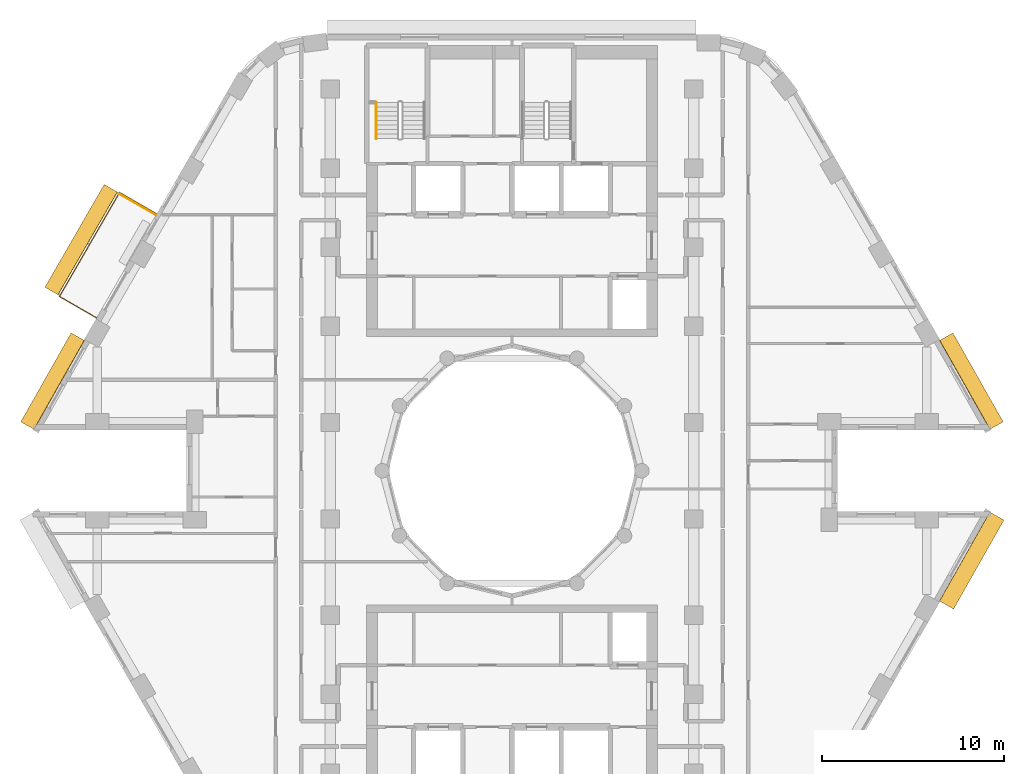
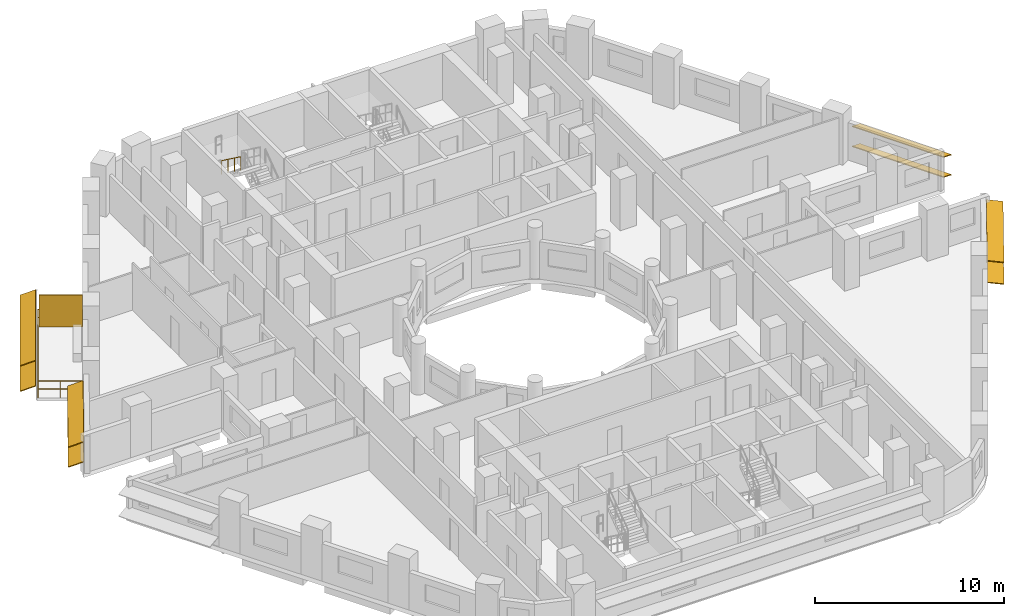
# One storey, part 12 of 13: 9 shading devices, 2 railings.
"""IFC4 building model written with IfcOpenShell, lengths in metres."""

from ifc_helpers import new_model, si_unit, direction, frame, origin, origin_2d, place, context, subcontext, project, spatial, rectangle, circle, extrude, material, layer, layer_set, material_profile, profile_set, type_object, element, save


model = new_model("IFC4")

# Units and contexts
model_context = context("Model", 3, precision=1e-05, world=origin(), true_north=direction((0.0, 1.0)))
body_context = subcontext(model_context, "Body", "Model", "MODEL_VIEW")
ifc_project = project(units=[si_unit("LENGTHUNIT", "METRE"), si_unit("AREAUNIT", "SQUARE_METRE"), si_unit("VOLUMEUNIT", "CUBIC_METRE"), si_unit("PLANEANGLEUNIT", "RADIAN"), si_unit("MASSUNIT", "GRAM", prefix="KILO")], contexts=[model_context])

# Site, building, storey
site_placement = place(None, origin())
site = spatial("IfcSite", under=ifc_project, at=site_placement, CompositionType="ELEMENT")
building_placement = place(site_placement, origin())
building = spatial("IfcBuilding", under=site, at=building_placement, Name="Nakaniwa Court", CompositionType="ELEMENT")
storey_placement = place(building_placement, frame((0.0, 0.0, 153.60009765625)))
storey = spatial("IfcBuildingStorey", under=building, at=storey_placement, Name="L40", CompositionType="ELEMENT", Elevation=153.60009765625)

# Railing
ifc_material_1 = material(Name="Black powder-coated steel flat bar balustrade S275", Category="steel")
railing_type_1 = type_object("IfcRailingType", Name="Black metal balcony guard 1100", PredefinedType="GUARDRAIL", material=ifc_material_1)
railing_1_placement = place(storey_placement, frame((60.44677734375, 94.133056640625, -0.050048828125)))
element("IfcRailing", 1, at=railing_1_placement, inside=storey, type_object=railing_type_1, Name="L40 balcony guard 01", PredefinedType="GUARDRAIL", context=body_context, shape_type="SweptSolid", body=[
    extrude(circle(Radius=0.02392578125, at=origin_2d()), frame((0.0, 0.0, 1.076171875), z_axis=(-0.866025363618, 0.50000006957, 0.0), x_axis=(-0.50000006957, -0.866025363618, 0.0)), (0.0, 0.0, 1.0), 2.35986328125),
    extrude(circle(Radius=0.02392578125, at=origin_2d()), frame((0.0, 0.0, 0.550048828125), z_axis=(-0.866025363618, 0.50000006957, 0.0), x_axis=(-0.50000006957, -0.866025363618, 0.0)), (0.0, 0.0, 1.0), 2.35986328125),
    extrude(circle(Radius=0.02392578125, at=origin_2d()), frame((-2.043701171875, 1.179931640625, 1.076171875), z_axis=(-0.500004921708, -0.866022562216, 0.0), x_axis=(0.866022562216, -0.500004921708, 0.0)), (0.0, 0.0, 1.0), 6.60888671875),
    extrude(circle(Radius=0.02392578125, at=origin_2d()), frame((-2.043701171875, 1.179931640625, 0.550048828125), z_axis=(-0.500004921708, -0.866022562216, 0.0), x_axis=(0.866022562216, -0.500004921708, 0.0)), (0.0, 0.0, 1.0), 6.60888671875),
    extrude(circle(Radius=0.02392578125, at=origin_2d()), frame((-5.34814453125, -4.54345703125, 1.076171875), z_axis=(0.866006432019, -0.500032858622, 0.0), x_axis=(0.500032858622, 0.866006432019, 0.0)), (0.0, 0.0, 1.0), 2.360107421875),
    extrude(circle(Radius=0.02392578125, at=origin_2d()), frame((-5.34814453125, -4.54345703125, 0.550048828125), z_axis=(0.866006432019, -0.500032858622, 0.0), x_axis=(0.500032858622, 0.866006432019, 0.0)), (0.0, 0.0, 1.0), 2.360107421875),
    extrude(circle(Radius=0.02099609375, at=origin_2d()), origin(), (0.0, 0.0, 1.0), 1.052001953125),
    extrude(circle(Radius=0.02099609375, at=origin_2d()), frame((-1.02197265625, 0.58984375, 0.0)), (0.0, 0.0, 1.0), 1.052001953125),
    extrude(circle(Radius=0.02099609375, at=origin_2d()), frame((-2.043701171875, 1.179931640625, 0.0)), (0.0, 0.0, 1.0), 1.052001953125),
    extrude(circle(Radius=0.02099609375, at=origin_2d()), frame((-2.594482421875, 0.22607421875, 0.0)), (0.0, 0.0, 1.0), 1.052001953125),
    extrude(circle(Radius=0.02099609375, at=origin_2d()), frame((-3.145263671875, -0.727783203125, 0.0)), (0.0, 0.0, 1.0), 1.052001953125),
    extrude(circle(Radius=0.02099609375, at=origin_2d()), frame((-3.69580078125, -1.681640625, 0.0)), (0.0, 0.0, 1.0), 1.052001953125),
    extrude(circle(Radius=0.02099609375, at=origin_2d()), frame((-4.24658203125, -2.6357421875, 0.0)), (0.0, 0.0, 1.0), 1.052001953125),
    extrude(circle(Radius=0.02099609375, at=origin_2d()), frame((-4.79736328125, -3.589599609375, 0.0)), (0.0, 0.0, 1.0), 1.052001953125),
    extrude(circle(Radius=0.02099609375, at=origin_2d()), frame((-5.34814453125, -4.54345703125, 0.0)), (0.0, 0.0, 1.0), 1.052001953125),
    extrude(circle(Radius=0.02099609375, at=origin_2d()), frame((-4.326171875, -5.133544921875, 0.0)), (0.0, 0.0, 1.0), 1.052001953125),
    extrude(circle(Radius=0.02099609375, at=origin_2d()), frame((-3.30419921875, -5.7236328125, 0.0)), (0.0, 0.0, 1.0), 1.052001953125),
])

# Shading devices
ifc_material_2 = material(Name="Black powder-coated aluminium slat screen", Category="aluminium")
ifc_layer = layer(ifc_material_2, 0.0400390625)
ifc_layer_set = layer_set([ifc_layer], Name="Black powder-coated aluminium slat screen")
shading_device_type_1 = type_object("IfcShadingDeviceType", Name="Koshi screen black metal", PredefinedType="USERDEFINED", material=ifc_layer_set)
shading_device_placement = place(storey_placement, frame((59.406494140625, 94.64111328125, -0.050048828125), z_axis=(0.0, 0.0, 1.0), x_axis=(-0.499975815814, -0.866039366081, 0.0)))
element("IfcShadingDevice", 2, at=shading_device_placement, inside=storey, type_object=shading_device_type_1, Name="L40 balcony SCREEN 01 W", ObjectType="KOSHI SCREEN", PredefinedType="USERDEFINED", context=body_context, shape_type="SweptSolid", body=[
    extrude(rectangle(XDim=0.0400390625, YDim=2.31005859375, at=origin_2d()), origin(), (0.0, 0.0, 1.0), 2.10009765625),
])
ifc_material_3 = material(Name="Perforated charcoal ceramic louvre blade")
ifc_material_profile = material_profile(ifc_material_3, rectangle(XDim=0.89990234375, YDim=0.050048828125, at=origin_2d()), Name="Perforated ceramic louvre blade")
ifc_profile_set = profile_set([ifc_material_profile], Name="Perforated charcoal ceramic louvre blade")
shading_device_type_2 = type_object("IfcShadingDeviceType", Name="Perforated ceramic louvre blade", PredefinedType="JALOUSIE", material=ifc_profile_set)
for number, where, z_axis, x_axis, name in (
    (3, (57.927978515625, 95.541015625, 0.5), (-0.499959831567, -0.866048593798, 0.0), (0.80012456997, -0.461902655462, 0.382683432365), "L40 perforated ceramic louvre blade 01 1"),
    (4, (57.927978515625, 95.541015625, 2.14990234375), (-0.499959831567, -0.866048593798, 0.0), (0.80012456997, -0.461902655462, 0.382683432365), "L40 perforated ceramic louvre blade 01 2"),
):
    element("IfcShadingDevice", number, at=place(storey_placement, frame(where, z_axis=z_axis, x_axis=x_axis)), inside=storey, type_object=shading_device_type_2, Name=name, PredefinedType="JALOUSIE", context=body_context, shape_type="SweptSolid", body=[
        extrude(rectangle(XDim=0.89990234375, YDim=0.050048828125, at=origin_2d()), origin(), (0.0, 0.0, 1.0), 6.52880859375),
    ])
for number, where, z_axis, x_axis, name in (
    (5, (106.662353515625, 82.48046875, 0.5498046875), (-0.49253187421, 0.870294405869, 0.0), (-0.804627241022, -0.455368390728, 0.38107037635), "L40 perforated ceramic louvre blade w02 1"),
    (6, (106.662353515625, 82.48046875, 1.84521484375), (-0.49253187421, 0.870294405869, 0.0), (-0.804627241022, -0.455368390728, 0.38107037635), "L40 perforated ceramic louvre blade w02 2"),
    (7, (56.10888671875, 87.377197265625, 0.5498046875), (-0.49253187421, -0.870294405869, 0.0), (0.804627241022, -0.455368390728, 0.38107037635), "L40 perforated ceramic louvre blade w14 1"),
    (8, (56.10888671875, 87.377197265625, 1.84521484375), (-0.49253187421, -0.870294405869, 0.0), (0.804627241022, -0.455368390728, 0.38107037635), "L40 perforated ceramic louvre blade w14 2"),
    (9, (103.911865234375, 72.611083984375, 0.5498046875), (0.49253187421, 0.870294405869, 0.0), (-0.862649339692, 0.488205247786, 0.132256390257), "L40 perforated ceramic louvre blade w32 1"),
    (10, (103.911865234375, 72.611083984375, 1.95556640625), (0.49253187421, 0.870294405869, 0.0), (-0.862649339692, 0.488205247786, 0.132256390257), "L40 perforated ceramic louvre blade w32 2"),
):
    element("IfcShadingDevice", number, at=place(storey_placement, frame(where, z_axis=z_axis, x_axis=x_axis)), inside=storey, type_object=shading_device_type_2, Name=name, PredefinedType="JALOUSIE", context=body_context, shape_type="SweptSolid", body=[
        extrude(rectangle(XDim=0.89990234375, YDim=0.050048828125, at=origin_2d()), origin(), (0.0, 0.0, 1.0), 5.62646484375),
    ])

# Railing
ifc_material_4 = material(Name="Black powder coated steel handrail", Category="steel")
railing_type_2 = type_object("IfcRailingType", Name="Stair handrail 900", PredefinedType="HANDRAIL", material=ifc_material_4)
railing_2_placement = place(storey_placement, frame((72.52490234375, 100.27490234375, 1.833251953125)))
element("IfcRailing", 11, at=railing_2_placement, inside=storey, type_object=railing_type_2, Name="L40 ST1 stair handrail 2", PredefinedType="HANDRAIL", context=body_context, shape_type="SweptSolid", body=[
    extrude(circle(Radius=0.02392578125, at=origin_2d()), frame((0.0, 0.0, 0.8759765625), z_axis=(0.0, -0.806426902644, 0.591333789573), x_axis=(1.0, 0.0, 0.0)), (0.0, 0.0, 1.0), 2.47998046875),
    extrude(circle(Radius=0.02099609375, at=origin_2d()), origin(), (0.0, 0.0, 1.0), 0.851806640625),
    extrude(circle(Radius=0.02099609375, at=origin_2d()), frame((0.0, -0.666748046875, 0.48876953125)), (0.0, 0.0, 1.0), 0.851806640625),
    extrude(circle(Radius=0.02099609375, at=origin_2d()), frame((0.0, -1.333251953125, 0.977783203125)), (0.0, 0.0, 1.0), 0.851806640625),
    extrude(circle(Radius=0.02099609375, at=origin_2d()), frame((0.0, -2.0, 1.466552734375)), (0.0, 0.0, 1.0), 0.851806640625),
])

save(model, "model.ifc")
